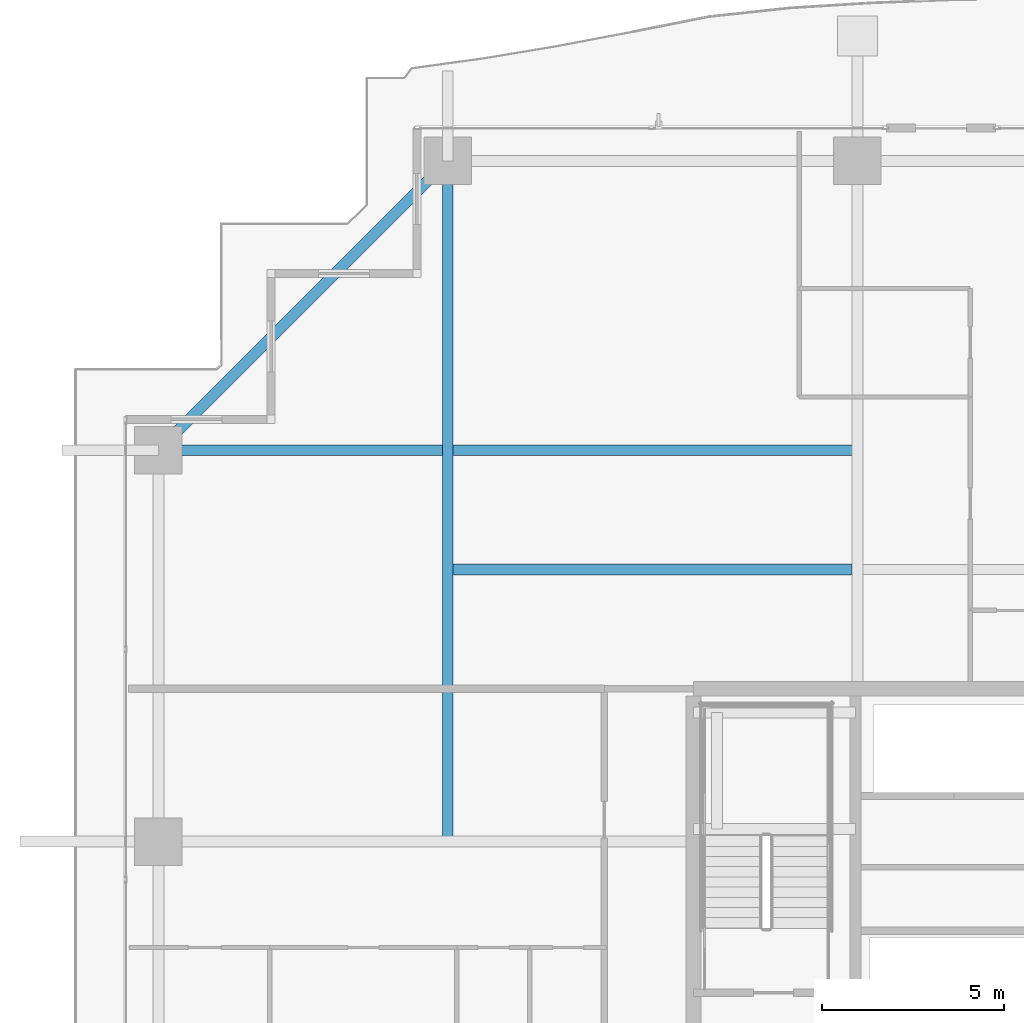
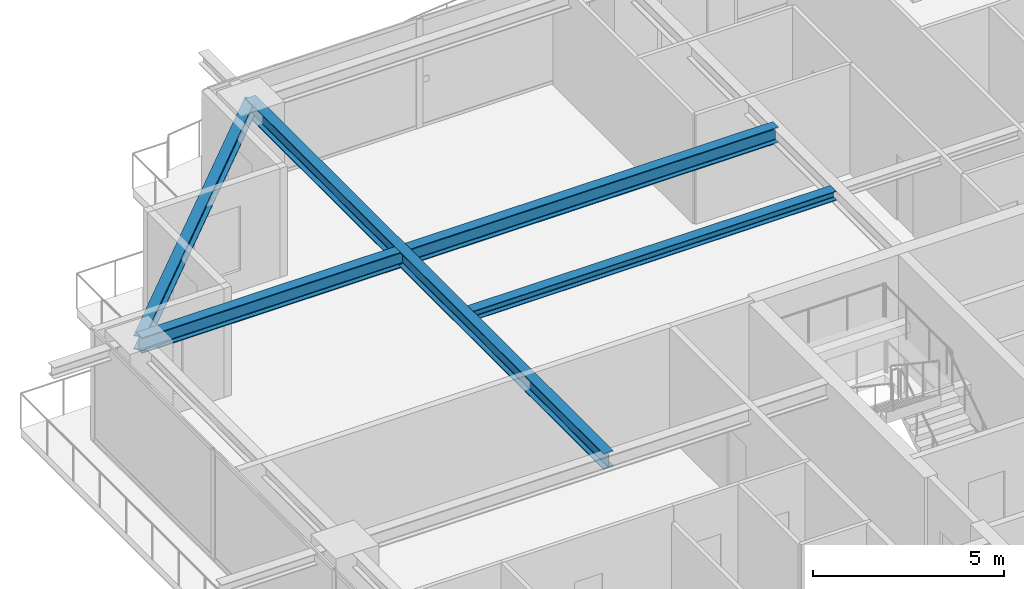
# One storey, part 16 of 34: 4 beams.
"""IFC4 building model written with IfcOpenShell, lengths in metres."""

from ifc_helpers import new_model, si_unit, direction, frame, origin, origin_2d, place, context, subcontext, project, spatial, i_section, extrude, source, transform, mapped, material, material_profile, profile_set, type_object, element, save


model = new_model("IFC4")

# Units and contexts
model_context = context("Model", 3, precision=1e-05, world=origin(), true_north=direction((0.0, 1.0)))
body_context = subcontext(model_context, "Body", "Model", "MODEL_VIEW")
ifc_project = project(units=[si_unit("LENGTHUNIT", "METRE"), si_unit("AREAUNIT", "SQUARE_METRE"), si_unit("VOLUMEUNIT", "CUBIC_METRE"), si_unit("PLANEANGLEUNIT", "RADIAN"), si_unit("MASSUNIT", "GRAM", prefix="KILO")], contexts=[model_context])

# Site, building, storey
site_placement = place(None, origin())
site = spatial("IfcSite", under=ifc_project, at=site_placement, CompositionType="ELEMENT")
building_placement = place(site_placement, origin())
building = spatial("IfcBuilding", under=site, at=building_placement, Name="Serunith Strait Residences", CompositionType="ELEMENT")
storey_placement = place(building_placement, frame((0.0, 0.0, 135.14990234375)))
storey = spatial("IfcBuildingStorey", under=building, at=storey_placement, Name="L33", CompositionType="ELEMENT", Elevation=135.14990234375)

# Beams
ifc_material = material(Name="Steel S355J2", Category="steel")
ifc_material_profile_1 = material_profile(ifc_material, i_section(OverallWidth=0.300048828125, OverallDepth=0.5, WebThickness=0.014404296875, FlangeThickness=0.028076171875, FilletRadius=0.027099609375, at=origin_2d()), Name="HEB 500")
ifc_profile_set_1 = profile_set([ifc_material_profile_1], Name="Steel S355J2")
beam_type_1 = type_object("IfcBeamType", Name="BM-HEB500", PredefinedType="BEAM", material=ifc_profile_set_1)
shared_shape_1 = source(origin(), body_context, "Body", "SweptSolid", [
    extrude(i_section(OverallWidth=0.300048828125, OverallDepth=0.5, WebThickness=0.014404296875, FlangeThickness=0.028076171875, FilletRadius=0.027099609375, at=origin_2d()), origin(), (0.0, 0.0, 1.0), 18.7001953125),
])
beam_1_placement = place(storey_placement, frame((16.64990234375, 29.39990234375, 3.237060546875), z_axis=(0.0, 1.0, 0.0), x_axis=(-1.0, 0.0, 0.0)))
element("IfcBeam", 1, at=beam_1_placement, inside=storey, type_object=beam_type_1, Name="L33 Orthogonal Corner Girder TC-N1", PredefinedType="BEAM", context=body_context, shape_type="MappedRepresentation", body=[
    mapped(shared_shape_1, transform((0.0, 0.0, 0.0), scale=1.0)),
])
shared_shape_2 = source(origin(), body_context, "Body", "SweptSolid", [
    extrude(i_section(OverallWidth=0.300048828125, OverallDepth=0.5, WebThickness=0.014404296875, FlangeThickness=0.028076171875, FilletRadius=0.027099609375, at=origin_2d()), origin(), (0.0, 0.0, 1.0), 19.199951171875),
])
beam_2_placement = place(storey_placement, frame((27.89990234375, 40.14990234375, 3.237060546875), z_axis=(-1.0, 0.0, 0.0), x_axis=(0.0, -1.0, 0.0)))
element("IfcBeam", 2, at=beam_2_placement, inside=storey, type_object=beam_type_1, Name="L33 Orthogonal Corner Girder TC-W4", PredefinedType="BEAM", context=body_context, shape_type="MappedRepresentation", body=[
    mapped(shared_shape_2, transform((0.0, 0.0, 0.0), scale=1.0)),
])
ifc_material_profile_2 = material_profile(ifc_material, i_section(OverallWidth=0.300048828125, OverallDepth=0.449951171875, WebThickness=0.013916015625, FlangeThickness=0.02587890625, FilletRadius=0.027099609375, at=origin_2d()), Name="HEB 450")
ifc_profile_set_2 = profile_set([ifc_material_profile_2], Name="Steel S355J2")
beam_type_2 = type_object("IfcBeamType", Name="BM-HEB450", PredefinedType="BEAM", material=ifc_profile_set_2)
shared_shape_3 = source(origin(), body_context, "Body", "SweptSolid", [
    extrude(i_section(OverallWidth=0.300048828125, OverallDepth=0.449951171875, WebThickness=0.013916015625, FlangeThickness=0.02587890625, FilletRadius=0.027099609375, at=origin_2d()), origin(), (0.0, 0.0, 1.0), 11.2431640625),
])
beam_3_placement = place(storey_placement, frame((16.64990234375, 48.10009765625, 3.232177734375), z_axis=(-0.707095923751, -0.707117638455, 0.0), x_axis=(0.707117638455, -0.707095923751, 0.0)))
element("IfcBeam", 3, at=beam_3_placement, inside=storey, type_object=beam_type_2, Name="L33 Perimeter Ring Beam 12", PredefinedType="BEAM", context=body_context, shape_type="MappedRepresentation", body=[
    mapped(shared_shape_3, transform((0.0, 0.0, 0.0), scale=1.0)),
])
ifc_material_profile_3 = material_profile(ifc_material, i_section(OverallWidth=0.300048828125, OverallDepth=0.300048828125, WebThickness=0.010986328125, FlangeThickness=0.01904296875, FilletRadius=0.027099609375, at=origin_2d()), Name="HEB 300")
ifc_profile_set_3 = profile_set([ifc_material_profile_3], Name="Steel S355J2")
beam_type_3 = type_object("IfcBeamType", Name="BM-HEB300", PredefinedType="JOIST", material=ifc_profile_set_3)
shared_shape_4 = source(origin(), body_context, "Body", "SweptSolid", [
    extrude(i_section(OverallWidth=0.300048828125, OverallDepth=0.300048828125, WebThickness=0.010986328125, FlangeThickness=0.01904296875, FilletRadius=0.027099609375, at=origin_2d()), origin(), (0.0, 0.0, 1.0), 10.949951171875),
])
beam_4_placement = place(storey_placement, frame((16.800048828125, 36.875, 3.337158203125), z_axis=(1.0, 0.0, 0.0), x_axis=(0.0, 1.0, 0.0)))
element("IfcBeam", 4, at=beam_4_placement, inside=storey, type_object=beam_type_3, Name="L33 Composite Floor Joist 04", PredefinedType="JOIST", context=body_context, shape_type="MappedRepresentation", body=[
    mapped(shared_shape_4, transform((0.0, 0.0, 0.0), scale=1.0)),
])

save(model, "model.ifc")
